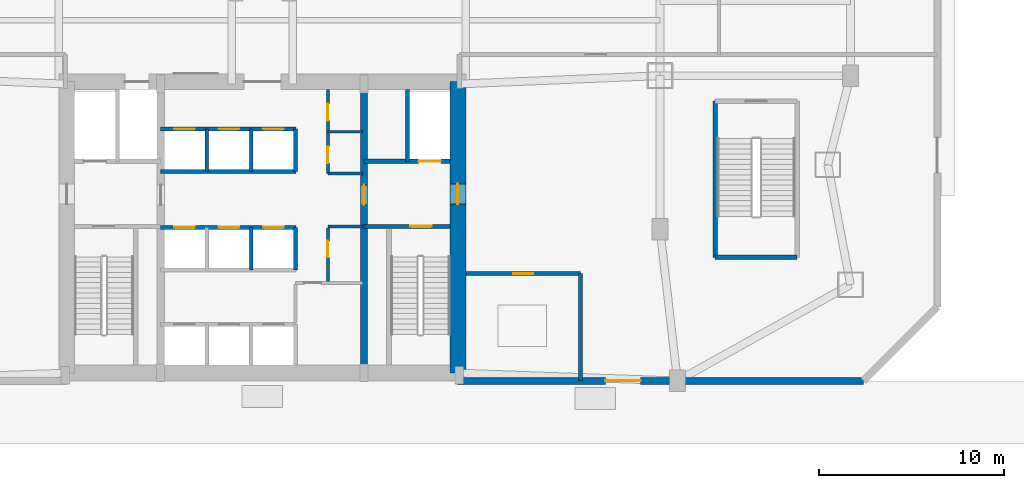
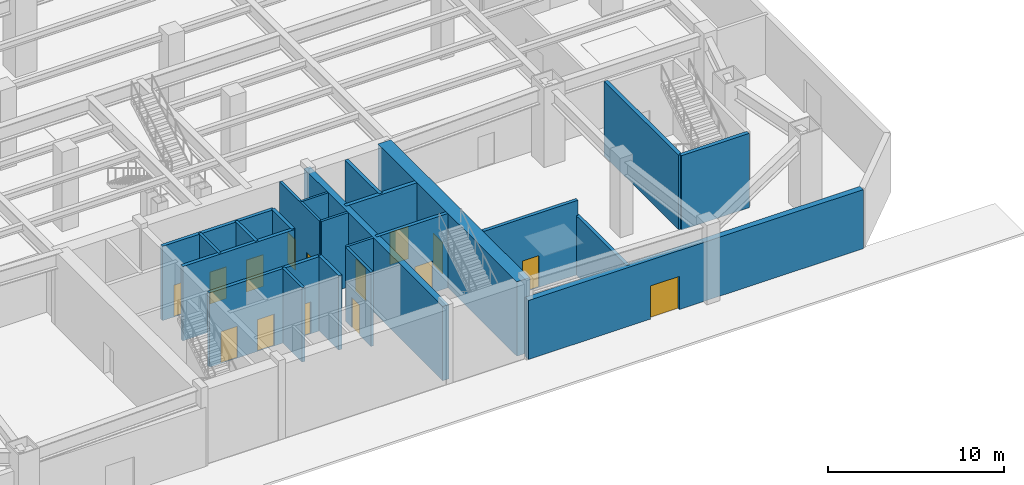
# One storey, part 6 of 11: 23 walls, 15 doors, 15 openings.
"""IFC4 building model written with IfcOpenShell, lengths in metres."""

from ifc_helpers import new_model, si_unit, direction, frame, frame_2d, origin, place, context, subcontext, project, spatial, rectangle, extrude, source, transform, mapped, material, layer, layer_set, type_object, type_shapes, element, fill, save


model = new_model("IFC4")

# Units and contexts
model_context = context("Model", 3, precision=1e-05, world=origin(), true_north=direction((0.0, 1.0)))
body_context = subcontext(model_context, "Body", "Model", "MODEL_VIEW")
ifc_project = project(units=[si_unit("LENGTHUNIT", "METRE"), si_unit("AREAUNIT", "SQUARE_METRE"), si_unit("VOLUMEUNIT", "CUBIC_METRE"), si_unit("PLANEANGLEUNIT", "RADIAN"), si_unit("MASSUNIT", "GRAM", prefix="KILO")], contexts=[model_context])

# Site, building, storey
site_placement = place(None, origin())
site = spatial("IfcSite", under=ifc_project, at=site_placement, CompositionType="ELEMENT")
building_placement = place(site_placement, origin())
building = spatial("IfcBuilding", under=site, at=building_placement, Name="Varnakhor Terracotta Tower", CompositionType="ELEMENT")
storey_placement = place(building_placement, origin())
storey = spatial("IfcBuildingStorey", under=building, at=storey_placement, Name="L00", CompositionType="ELEMENT", Elevation=0.0)

# Wall, opening, door
ifc_material_1 = material(Name="Concrete C60/75", Category="concrete")
ifc_layer_1 = layer(ifc_material_1, 0.85009765625, Name="Concrete C60/75")
ifc_layer_set_1 = layer_set([ifc_layer_1], Name="Concrete C60/75")
wall_type_1 = type_object("IfcWallType", Name="WAL-CORE-850", PredefinedType="SHEAR", material=ifc_layer_set_1)
wall_1_placement = place(storey_placement, frame((10.574951171875, 0.425048828125, 0.0), z_axis=(0.0, 0.0, 1.0), x_axis=(0.0, 1.0, 0.0)))
wall_1 = element("IfcWall", 1, at=wall_1_placement, inside=storey, type_object=wall_type_1, Name="L00 East Core Shear Wall", PredefinedType="SHEAR", context=body_context, shape_type="SweptSolid", body=[
    extrude(rectangle(XDim=15.75, YDim=0.85009765625, at=frame_2d((7.875, 0.0))), origin(), (0.0, 0.0, 1.0), 5.14990234375),
])
opening_1_placement = place(wall_1_placement, frame((9.125, 0.0, 0.0)))
opening_1 = element("IfcOpeningElement", 2, at=opening_1_placement, cuts=wall_1, Name="Opening DR-25", PredefinedType="OPENING", context=body_context, shape_type="SweptSolid", body=[
    extrude(rectangle(XDim=1.10009765625, YDim=2.199951171875, at=frame_2d((0.550048828125, 1.10009765625))), frame((0.0, 0.43505859375, 0.0), z_axis=(0.0, -1.0, 0.0), x_axis=(1.0, 0.0, 0.0)), (0.0, 0.0, 1.0), 0.8701171875),
])
ifc_material_2 = material(Name="Firefighting Lobby Self-Closing Fire Door", Category="steel")
door_type_1 = type_object("IfcDoorType", Name="DR-FFL-1100X2200", OperationType="NOTDEFINED", PredefinedType="DOOR", material=ifc_material_2)
shared_shape_1 = source(origin(), body_context, "Body", "SweptSolid", [
    extrude(rectangle(XDim=1.10009765625, YDim=2.199951171875, at=frame_2d((0.550048828125, 1.10009765625))), frame((0.0, 0.02490234375, 0.0), z_axis=(0.0, -1.0, 0.0), x_axis=(1.0, 0.0, 0.0)), (0.0, 0.0, 1.0), 0.050048828125),
])
type_shapes(door_type_1, [shared_shape_1])
door_1_placement = place(opening_1_placement, origin())
door_1 = element("IfcDoor", 3, at=door_1_placement, inside=storey, type_object=door_type_1, Name="L00 East Core Stair Protected Discharge Door", OperationType="SINGLE_SWING_RIGHT", OverallHeight=2.199951171875, OverallWidth=1.10009765625, PredefinedType="DOOR", context=body_context, shape_type="MappedRepresentation", body=[
    mapped(shared_shape_1, transform((0.0, 0.0, 0.0), scale=1.0)),
])
fill(opening_1, door_1)

ifc_material_3 = material(Name="Concrete C50/60", Category="concrete")
ifc_layer_2 = layer(ifc_material_3, 0.39990234375, Name="Concrete C50/60")
ifc_layer_set_2 = layer_set([ifc_layer_2], Name="Concrete C50/60")
wall_type_2 = type_object("IfcWallType", Name="WAL-CORE-WEB-400", PredefinedType="SHEAR", material=ifc_layer_set_2)
wall_2_placement = place(storey_placement, frame((5.5, 0.425048828125, 0.0), z_axis=(0.0, 0.0, 1.0), x_axis=(0.0, 1.0, 0.0)))
wall_2 = element("IfcWall", 4, at=wall_2_placement, inside=storey, type_object=wall_type_2, Name="L00 East Core Web Shear Wall", PredefinedType="SHEAR", context=body_context, shape_type="SweptSolid", body=[
    extrude(rectangle(XDim=15.75, YDim=0.39990234375, at=frame_2d((7.875, 0.0))), origin(), (0.0, 0.0, 1.0), 5.14990234375),
])
opening_2_placement = place(wall_2_placement, frame((9.074951171875, 0.0, 0.0)))
opening_2 = element("IfcOpeningElement", 5, at=opening_2_placement, cuts=wall_2, Name="Opening DR-25", PredefinedType="OPENING", context=body_context, shape_type="SweptSolid", body=[
    extrude(rectangle(XDim=1.10009765625, YDim=2.199951171875, at=frame_2d((0.550048828125, 1.10009765625))), frame((0.0, 0.2099609375, 0.0), z_axis=(0.0, -1.0, 0.0), x_axis=(1.0, 0.0, 0.0)), (0.0, 0.0, 1.0), 0.419921875),
])
door_2_placement = place(opening_2_placement, origin())
door_2 = element("IfcDoor", 6, at=door_2_placement, inside=storey, type_object=door_type_1, Name="L00 East Firefighting Lobby Door", OperationType="SINGLE_SWING_RIGHT", OverallHeight=2.199951171875, OverallWidth=1.10009765625, PredefinedType="DOOR", context=body_context, shape_type="MappedRepresentation", body=[
    mapped(shared_shape_1, transform((0.0, 0.0, 0.0), scale=1.0)),
])
fill(opening_2, door_2)

ifc_material_4 = material(Name="Honed Riyadh Limestone Assembly", Category="masonry")
ifc_layer_3 = layer(ifc_material_4, 0.3798828125, Name="Honed Riyadh Limestone Assembly")
ifc_layer_set_3 = layer_set([ifc_layer_3], Name="Honed Riyadh Limestone Assembly")
wall_type_3 = type_object("IfcWallType", Name="WAL-EXT-LIMESTONE-380", PredefinedType="SOLIDWALL", material=ifc_layer_set_3)
wall_3_placement = place(storey_placement, frame((32.5, 0.0, 0.0), z_axis=(0.0, 0.0, 1.0), x_axis=(-1.0, 0.0, 0.0)))
wall_3 = element("IfcWall", 7, at=wall_3_placement, inside=storey, type_object=wall_type_3, Name="L00 Limestone Podium Wall SE", PredefinedType="SOLIDWALL", context=body_context, shape_type="SweptSolid", body=[
    extrude(rectangle(XDim=21.949951171875, YDim=0.3798828125, at=frame_2d((10.97509765625, 0.0))), origin(), (0.0, 0.0, 1.0), 4.090087890625),
])
opening_3_placement = place(wall_3_placement, frame((12.050048828125, 0.0, 0.0)))
opening_3 = element("IfcOpeningElement", 8, at=opening_3_placement, cuts=wall_3, Name="Opening DR-56", PredefinedType="OPENING", context=body_context, shape_type="SweptSolid", body=[
    extrude(rectangle(XDim=1.89990234375, YDim=2.300048828125, at=frame_2d((0.949951171875, 1.14990234375))), frame((0.0, 0.199951171875, 0.0), z_axis=(0.0, -1.0, 0.0), x_axis=(1.0, 0.0, 0.0)), (0.0, 0.0, 1.0), 0.39990234375),
])
ifc_material_5 = material(Name="Insulated Steel Double Exit Door", Category="steel")
door_type_2 = type_object("IfcDoorType", Name="DR-EXT-EXIT-1900X2300", OperationType="NOTDEFINED", PredefinedType="DOOR", material=ifc_material_5)
shared_shape_2 = source(origin(), body_context, "Body", "SweptSolid", [
    extrude(rectangle(XDim=1.89990234375, YDim=2.300048828125, at=frame_2d((0.949951171875, 1.14990234375))), frame((0.0, 0.02490234375, 0.0), z_axis=(0.0, -1.0, 0.0), x_axis=(1.0, 0.0, 0.0)), (0.0, 0.0, 1.0), 0.050048828125),
])
type_shapes(door_type_2, [shared_shape_2])
door_3_placement = place(opening_3_placement, origin())
door_3 = element("IfcDoor", 9, at=door_3_placement, inside=storey, type_object=door_type_2, Name="L00 Core Stair Final Exit Door SE", OperationType="DOUBLE_DOOR_SINGLE_SWING", OverallHeight=2.300048828125, OverallWidth=1.89990234375, PredefinedType="DOOR", context=body_context, shape_type="MappedRepresentation", body=[
    mapped(shared_shape_2, transform((0.0, 0.0, 0.0), scale=1.0)),
])
fill(opening_3, door_3)

ifc_material_6 = material(Name="Concrete C40/50", Category="concrete")
ifc_layer_4 = layer(ifc_material_6, 0.219970703125, Name="Concrete C40/50")
ifc_layer_set_4 = layer_set([ifc_layer_4], Name="Concrete C40/50")
wall_type_4 = type_object("IfcWallType", Name="WAL-FFLOBBY-220", PredefinedType="SOLIDWALL", material=ifc_layer_set_4)
wall_4_placement = place(storey_placement, frame((5.5, 8.35009765625, 0.0), z_axis=(0.0, 0.0, 1.0), x_axis=(1.0, 0.0, 0.0)))
wall_4 = element("IfcWall", 10, at=wall_4_placement, inside=storey, type_object=wall_type_4, Name="L00 East Firefighting Lobby Stair Wall", PredefinedType="SOLIDWALL", context=body_context, shape_type="SweptSolid", body=[
    extrude(rectangle(XDim=4.64990234375, YDim=0.219970703125, at=frame_2d((2.324951171875, 0.0))), origin(), (0.0, 0.0, 1.0), 5.14990234375),
])
opening_4_placement = place(wall_4_placement, frame((2.5, 0.0, 0.0)))
opening_4 = element("IfcOpeningElement", 11, at=opening_4_placement, cuts=wall_4, Name="Opening DR-34", PredefinedType="OPENING", context=body_context, shape_type="SweptSolid", body=[
    extrude(rectangle(XDim=1.14990234375, YDim=2.199951171875, at=frame_2d((0.574951171875, 1.10009765625))), frame((0.0, 0.1201171875, 0.0), z_axis=(0.0, -1.0, 0.0), x_axis=(1.0, 0.0, 0.0)), (0.0, 0.0, 1.0), 0.239990234375),
])
ifc_material_7 = material(Name="Self-Closing Smoke-Sealed Steel Fire Door", Category="steel")
door_type_3 = type_object("IfcDoorType", Name="DR-STAIR-1150X2200", OperationType="NOTDEFINED", PredefinedType="DOOR", material=ifc_material_7)
shared_shape_3 = source(origin(), body_context, "Body", "SweptSolid", [
    extrude(rectangle(XDim=1.14990234375, YDim=2.199951171875, at=frame_2d((0.574951171875, 1.10009765625))), frame((0.0, 0.02490234375, 0.0), z_axis=(0.0, -1.0, 0.0), x_axis=(1.0, 0.0, 0.0)), (0.0, 0.0, 1.0), 0.050048828125),
])
type_shapes(door_type_3, [shared_shape_3])
door_4_placement = place(opening_4_placement, origin())
door_4 = element("IfcDoor", 12, at=door_4_placement, inside=storey, type_object=door_type_3, Name="L00 Exit Stair ST-2 Fire Door", OperationType="SINGLE_SWING_LEFT", OverallHeight=2.199951171875, OverallWidth=1.14990234375, PredefinedType="DOOR", context=body_context, shape_type="MappedRepresentation", body=[
    mapped(shared_shape_3, transform((0.0, 0.0, 0.0), scale=1.0)),
])
fill(opening_4, door_4)

wall_5_placement = place(storey_placement, frame((11.02001953125, 5.800048828125, 0.0), z_axis=(0.0, 0.0, 1.0), x_axis=(1.0, 0.0, 0.0)))
wall_5 = element("IfcWall", 13, at=wall_5_placement, inside=storey, type_object=wall_type_4, Name="L00 Fire Command Centre North Wall", PredefinedType="SOLIDWALL", context=body_context, shape_type="SweptSolid", body=[
    extrude(rectangle(XDim=6.179931640625, YDim=0.219970703125, at=frame_2d((3.08984375, 0.0))), origin(), (0.0, 0.0, 1.0), 5.14208984375),
])
opening_5_placement = place(wall_5_placement, frame((2.5400390625, 0.0, 0.0)))
opening_5 = element("IfcOpeningElement", 14, at=opening_5_placement, cuts=wall_5, Name="Opening DR-25", PredefinedType="OPENING", context=body_context, shape_type="SweptSolid", body=[
    extrude(rectangle(XDim=1.10009765625, YDim=2.199951171875, at=frame_2d((0.550048828125, 1.10009765625))), frame((0.0, 0.1201171875, 0.0), z_axis=(0.0, -1.0, 0.0), x_axis=(1.0, 0.0, 0.0)), (0.0, 0.0, 1.0), 0.239990234375),
])
door_5_placement = place(opening_5_placement, origin())
door_5 = element("IfcDoor", 15, at=door_5_placement, inside=storey, type_object=door_type_1, Name="Fire Command Centre Door", OperationType="SINGLE_SWING_LEFT", OverallHeight=2.199951171875, OverallWidth=1.10009765625, PredefinedType="DOOR", context=body_context, shape_type="MappedRepresentation", body=[
    mapped(shared_shape_1, transform((0.0, 0.0, 0.0), scale=1.0)),
])
fill(opening_5, door_5)

# Walls
wall_6_placement = place(storey_placement, frame((17.199951171875, 0.010009765625, 0.0), z_axis=(0.0, 0.0, 1.0), x_axis=(0.0, 1.0, 0.0)))
element("IfcWall", 16, at=wall_6_placement, inside=storey, type_object=wall_type_4, Name="L00 Fire Command Centre East Wall", PredefinedType="SOLIDWALL", context=body_context, shape_type="SweptSolid", body=[
    extrude(rectangle(XDim=5.7900390625, YDim=0.219970703125, at=frame_2d((2.89501953125, 0.0))), origin(), (0.0, 0.0, 1.0), 4.10205078125),
])
ifc_layer_5 = layer(ifc_material_6, 0.179931640625, Name="Concrete C40/50")
ifc_layer_set_5 = layer_set([ifc_layer_5], Name="Concrete C40/50")
wall_type_5 = type_object("IfcWallType", Name="WAL-SHAFT-180", PredefinedType="SOLIDWALL", material=ifc_layer_set_5)
for number, where, z_axis, x_axis, name in (
    (17, (-0.60009765625, 6.0, 0.0), (0.0, 0.0, 1.0), (0.0, 1.0, 0.0), "L00 PL-2B Divider"),
    (18, (-3.0, 11.320068359375, 0.0), (0.0, 0.0, 1.0), (0.0, 1.0, 0.0), "L00 PL-3A Divider"),
    (19, (-0.60009765625, 11.320068359375, 0.0), (0.0, 0.0, 1.0), (0.0, 1.0, 0.0), "L00 PL-3B Divider"),
):
    element("IfcWall", number, at=place(storey_placement, frame(where, z_axis=z_axis, x_axis=x_axis)), inside=storey, type_object=wall_type_5, Name=name, PredefinedType="SOLIDWALL", context=body_context, shape_type="SweptSolid", body=[
        extrude(rectangle(XDim=2.300048828125, YDim=0.179931640625, at=frame_2d((1.14990234375, 0.0))), origin(), (0.0, 0.0, 1.0), 5.14990234375),
    ])
ifc_layer_6 = layer(ifc_material_6, 0.219970703125, Name="Concrete C40/50")
ifc_layer_set_6 = layer_set([ifc_layer_6], Name="Concrete C40/50")
wall_type_6 = type_object("IfcWallType", Name="WAL-SHAFT-220", PredefinedType="SOLIDWALL", material=ifc_layer_set_6)
wall_7_placement = place(storey_placement, frame((7.840087890625, 11.8701171875, 0.0), z_axis=(0.0, 0.0, 1.0), x_axis=(0.0, 1.0, 0.0)))
element("IfcWall", 20, at=wall_7_placement, inside=storey, type_object=wall_type_6, Name="L00 Lift FFL-2 and Riser Divider Wall", PredefinedType="SOLIDWALL", context=body_context, shape_type="SweptSolid", body=[
    extrude(rectangle(XDim=3.8798828125, YDim=0.219970703125, at=frame_2d((1.93994140625, 0.0))), origin(), (0.0, 0.0, 1.0), 5.14990234375),
])

# Wall, openings, doors
wall_8_placement = place(storey_placement, frame((-5.5, 8.300048828125, 0.0), z_axis=(0.0, 0.0, 1.0), x_axis=(1.0, 0.0, 0.0)))
wall_8 = element("IfcWall", 21, at=wall_8_placement, inside=storey, type_object=wall_type_6, Name="L00 Bank 2 North Shaft Wall", PredefinedType="SOLIDWALL", context=body_context, shape_type="SweptSolid", body=[
    extrude(rectangle(XDim=7.320068359375, YDim=0.219970703125, at=frame_2d((3.66015625, 0.0))), origin(), (0.0, 0.0, 1.0), 5.14990234375),
])
opening_6_placement = place(wall_8_placement, frame((0.75, 0.0, 0.0)))
opening_6 = element("IfcOpeningElement", 22, at=opening_6_placement, cuts=wall_8, Name="Opening LD-01", PredefinedType="OPENING", context=body_context, shape_type="SweptSolid", body=[
    extrude(rectangle(XDim=1.10009765625, YDim=2.199951171875, at=frame_2d((0.550048828125, 1.10009765625))), frame((0.0, 0.1201171875, 0.0), z_axis=(0.0, -1.0, 0.0), x_axis=(1.0, 0.0, 0.0)), (0.0, 0.0, 1.0), 0.239990234375),
])
opening_7_placement = place(wall_8_placement, frame((3.14990234375, 0.0, 0.0)))
opening_7 = element("IfcOpeningElement", 23, at=opening_7_placement, cuts=wall_8, Name="Opening LD-01", PredefinedType="OPENING", context=body_context, shape_type="SweptSolid", body=[
    extrude(rectangle(XDim=1.10009765625, YDim=2.199951171875, at=frame_2d((0.550048828125, 1.10009765625))), frame((0.0, 0.1201171875, 0.0), z_axis=(0.0, -1.0, 0.0), x_axis=(1.0, 0.0, 0.0)), (0.0, 0.0, 1.0), 0.239990234375),
])
opening_8_placement = place(wall_8_placement, frame((5.550048828125, 0.0, 0.0)))
opening_8 = element("IfcOpeningElement", 24, at=opening_8_placement, cuts=wall_8, Name="Opening LD-01", PredefinedType="OPENING", context=body_context, shape_type="SweptSolid", body=[
    extrude(rectangle(XDim=1.10009765625, YDim=2.199951171875, at=frame_2d((0.550048828125, 1.10009765625))), frame((0.0, 0.1201171875, 0.0), z_axis=(0.0, -1.0, 0.0), x_axis=(1.0, 0.0, 0.0)), (0.0, 0.0, 1.0), 0.239990234375),
])
ifc_material_8 = material(Name="Brushed Stainless Steel Sliding Lift Landing Door", Category="steel")
door_type_4 = type_object("IfcDoorType", Name="LD-PASS-1100X2200", OperationType="NOTDEFINED", PredefinedType="DOOR", material=ifc_material_8)
shared_shape_4 = source(origin(), body_context, "Body", "SweptSolid", [
    extrude(rectangle(XDim=1.10009765625, YDim=2.199951171875, at=frame_2d((0.550048828125, 1.10009765625))), frame((0.0, 0.02490234375, 0.0), z_axis=(0.0, -1.0, 0.0), x_axis=(1.0, 0.0, 0.0)), (0.0, 0.0, 1.0), 0.050048828125),
])
type_shapes(door_type_4, [shared_shape_4])
door_6_placement = place(opening_6_placement, origin())
door_6 = element("IfcDoor", 25, at=door_6_placement, inside=storey, type_object=door_type_4, Name="L00 Passenger Lift PL-2A Landing Door", OperationType="SLIDING_TO_LEFT", OverallHeight=2.199951171875, OverallWidth=1.10009765625, PredefinedType="DOOR", context=body_context, shape_type="MappedRepresentation", body=[
    mapped(shared_shape_4, transform((0.0, 0.0, 0.0), scale=1.0)),
])
fill(opening_6, door_6)
door_7_placement = place(opening_7_placement, origin())
door_7 = element("IfcDoor", 26, at=door_7_placement, inside=storey, type_object=door_type_4, Name="L00 Passenger Lift PL-2B Landing Door", OperationType="SLIDING_TO_LEFT", OverallHeight=2.199951171875, OverallWidth=1.10009765625, PredefinedType="DOOR", context=body_context, shape_type="MappedRepresentation", body=[
    mapped(shared_shape_4, transform((0.0, 0.0, 0.0), scale=1.0)),
])
fill(opening_7, door_7)
door_8_placement = place(opening_8_placement, origin())
door_8 = element("IfcDoor", 27, at=door_8_placement, inside=storey, type_object=door_type_4, Name="L00 Passenger Lift PL-2C Landing Door", OperationType="SLIDING_TO_LEFT", OverallHeight=2.199951171875, OverallWidth=1.10009765625, PredefinedType="DOOR", context=body_context, shape_type="MappedRepresentation", body=[
    mapped(shared_shape_4, transform((0.0, 0.0, 0.0), scale=1.0)),
])
fill(opening_8, door_8)

# Walls
wall_9_placement = place(storey_placement, frame((1.800048828125, 6.0, 0.0), z_axis=(0.0, 0.0, 1.0), x_axis=(0.0, 1.0, 0.0)))
element("IfcWall", 28, at=wall_9_placement, inside=storey, type_object=wall_type_6, Name="L00 Bank 2 East Shaft Wall", PredefinedType="SOLIDWALL", context=body_context, shape_type="SweptSolid", body=[
    extrude(rectangle(XDim=2.300048828125, YDim=0.219970703125, at=frame_2d((1.14990234375, 0.0))), origin(), (0.0, 0.0, 1.0), 5.14990234375),
])
wall_10_placement = place(storey_placement, frame((-5.5, 11.320068359375, 0.0), z_axis=(0.0, 0.0, 1.0), x_axis=(1.0, 0.0, 0.0)))
element("IfcWall", 29, at=wall_10_placement, inside=storey, type_object=wall_type_6, Name="L00 Bank 3 South Shaft Wall", PredefinedType="SOLIDWALL", context=body_context, shape_type="SweptSolid", body=[
    extrude(rectangle(XDim=7.320068359375, YDim=0.219970703125, at=frame_2d((3.66015625, 0.0))), origin(), (0.0, 0.0, 1.0), 5.14990234375),
])

# Wall, openings, doors
wall_11_placement = place(storey_placement, frame((-5.5, 13.6201171875, 0.0), z_axis=(0.0, 0.0, 1.0), x_axis=(1.0, 0.0, 0.0)))
wall_11 = element("IfcWall", 30, at=wall_11_placement, inside=storey, type_object=wall_type_6, Name="L00 Bank 3 North Shaft Wall", PredefinedType="SOLIDWALL", context=body_context, shape_type="SweptSolid", body=[
    extrude(rectangle(XDim=7.320068359375, YDim=0.219970703125, at=frame_2d((3.66015625, 0.0))), origin(), (0.0, 0.0, 1.0), 5.14990234375),
])
opening_9_placement = place(wall_11_placement, frame((0.75, 0.0, 0.0)))
opening_9 = element("IfcOpeningElement", 31, at=opening_9_placement, cuts=wall_11, Name="Opening LD-01", PredefinedType="OPENING", context=body_context, shape_type="SweptSolid", body=[
    extrude(rectangle(XDim=1.10009765625, YDim=2.199951171875, at=frame_2d((0.550048828125, 1.10009765625))), frame((0.0, 0.1201171875, 0.0), z_axis=(0.0, -1.0, 0.0), x_axis=(1.0, 0.0, 0.0)), (0.0, 0.0, 1.0), 0.239990234375),
])
opening_10_placement = place(wall_11_placement, frame((3.14990234375, 0.0, 0.0)))
opening_10 = element("IfcOpeningElement", 32, at=opening_10_placement, cuts=wall_11, Name="Opening LD-01", PredefinedType="OPENING", context=body_context, shape_type="SweptSolid", body=[
    extrude(rectangle(XDim=1.10009765625, YDim=2.199951171875, at=frame_2d((0.550048828125, 1.10009765625))), frame((0.0, 0.1201171875, 0.0), z_axis=(0.0, -1.0, 0.0), x_axis=(1.0, 0.0, 0.0)), (0.0, 0.0, 1.0), 0.239990234375),
])
opening_11_placement = place(wall_11_placement, frame((5.550048828125, 0.0, 0.0)))
opening_11 = element("IfcOpeningElement", 33, at=opening_11_placement, cuts=wall_11, Name="Opening LD-01", PredefinedType="OPENING", context=body_context, shape_type="SweptSolid", body=[
    extrude(rectangle(XDim=1.10009765625, YDim=2.199951171875, at=frame_2d((0.550048828125, 1.10009765625))), frame((0.0, 0.1201171875, 0.0), z_axis=(0.0, -1.0, 0.0), x_axis=(1.0, 0.0, 0.0)), (0.0, 0.0, 1.0), 0.239990234375),
])
door_9_placement = place(opening_9_placement, origin())
door_9 = element("IfcDoor", 34, at=door_9_placement, inside=storey, type_object=door_type_4, Name="L00 Passenger Lift PL-3A Landing Door", OperationType="SLIDING_TO_RIGHT", OverallHeight=2.199951171875, OverallWidth=1.10009765625, PredefinedType="DOOR", context=body_context, shape_type="MappedRepresentation", body=[
    mapped(shared_shape_4, transform((0.0, 0.0, 0.0), scale=1.0)),
])
fill(opening_9, door_9)
door_10_placement = place(opening_10_placement, origin())
door_10 = element("IfcDoor", 35, at=door_10_placement, inside=storey, type_object=door_type_4, Name="L00 Passenger Lift PL-3B Landing Door", OperationType="SLIDING_TO_RIGHT", OverallHeight=2.199951171875, OverallWidth=1.10009765625, PredefinedType="DOOR", context=body_context, shape_type="MappedRepresentation", body=[
    mapped(shared_shape_4, transform((0.0, 0.0, 0.0), scale=1.0)),
])
fill(opening_10, door_10)
door_11_placement = place(opening_11_placement, origin())
door_11 = element("IfcDoor", 36, at=door_11_placement, inside=storey, type_object=door_type_4, Name="L00 Passenger Lift PL-3C Landing Door", OperationType="SLIDING_TO_RIGHT", OverallHeight=2.199951171875, OverallWidth=1.10009765625, PredefinedType="DOOR", context=body_context, shape_type="MappedRepresentation", body=[
    mapped(shared_shape_4, transform((0.0, 0.0, 0.0), scale=1.0)),
])
fill(opening_11, door_11)

# Wall
wall_12_placement = place(storey_placement, frame((1.800048828125, 11.320068359375, 0.0), z_axis=(0.0, 0.0, 1.0), x_axis=(0.0, 1.0, 0.0)))
element("IfcWall", 37, at=wall_12_placement, inside=storey, type_object=wall_type_6, Name="L00 Bank 3 East Shaft Wall", PredefinedType="SOLIDWALL", context=body_context, shape_type="SweptSolid", body=[
    extrude(rectangle(XDim=2.300048828125, YDim=0.219970703125, at=frame_2d((1.14990234375, 0.0))), origin(), (0.0, 0.0, 1.0), 5.14990234375),
])

# Wall, opening, door
ifc_layer_7 = layer(ifc_material_6, 0.25, Name="Concrete C40/50")
ifc_layer_set_7 = layer_set([ifc_layer_7], Name="Concrete C40/50")
wall_type_7 = type_object("IfcWallType", Name="WAL-SHAFT-250", PredefinedType="SOLIDWALL", material=ifc_layer_set_7)
wall_13_placement = place(storey_placement, frame((10.14990234375, 11.8701171875, 0.0), z_axis=(0.0, 0.0, 1.0), x_axis=(-1.0, 0.0, 0.0)))
wall_13 = element("IfcWall", 38, at=wall_13_placement, inside=storey, type_object=wall_type_7, Name="L00 Lift FFL-2 Shaft Front Wall", PredefinedType="SOLIDWALL", context=body_context, shape_type="SweptSolid", body=[
    extrude(rectangle(XDim=4.64990234375, YDim=0.25, at=frame_2d((2.324951171875, 0.0))), origin(), (0.0, 0.0, 1.0), 5.14990234375),
])
opening_12_placement = place(wall_13_placement, frame((0.5, 0.0, 0.0)))
opening_12 = element("IfcOpeningElement", 39, at=opening_12_placement, cuts=wall_13, Name="Opening LD-02", PredefinedType="OPENING", context=body_context, shape_type="SweptSolid", body=[
    extrude(rectangle(XDim=1.199951171875, YDim=2.25, at=frame_2d((0.60009765625, 1.125))), frame((0.0, 0.135009765625, 0.0), z_axis=(0.0, -1.0, 0.0), x_axis=(1.0, 0.0, 0.0)), (0.0, 0.0, 1.0), 0.27001953125),
])
ifc_material_9 = material(Name="Firefighting Stretcher Sliding Lift Landing Door", Category="steel")
door_type_5 = type_object("IfcDoorType", Name="LD-FFL-1200X2250", OperationType="NOTDEFINED", PredefinedType="DOOR", material=ifc_material_9)
shared_shape_5 = source(origin(), body_context, "Body", "SweptSolid", [
    extrude(rectangle(XDim=1.199951171875, YDim=2.25, at=frame_2d((0.60009765625, 1.125))), frame((0.0, 0.02490234375, 0.0), z_axis=(0.0, -1.0, 0.0), x_axis=(1.0, 0.0, 0.0)), (0.0, 0.0, 1.0), 0.050048828125),
])
type_shapes(door_type_5, [shared_shape_5])
door_12_placement = place(opening_12_placement, origin())
door_12 = element("IfcDoor", 40, at=door_12_placement, inside=storey, type_object=door_type_5, Name="L00 Firefighting Lift FFL-2 Landing Door", OperationType="SLIDING_TO_RIGHT", OverallHeight=2.25, OverallWidth=1.199951171875, PredefinedType="DOOR", context=body_context, shape_type="MappedRepresentation", body=[
    mapped(shared_shape_5, transform((0.0, 0.0, 0.0), scale=1.0)),
])
fill(opening_12, door_12)

# Walls
wall_14_placement = place(storey_placement, frame((24.47998046875, 6.679931640625, 0.0), z_axis=(0.0, 0.0, 1.0), x_axis=(0.0, 1.0, 0.0)))
element("IfcWall", 41, at=wall_14_placement, inside=storey, type_object=wall_type_7, Name="L00 ST-P2 Bearing Shaft Wall W", PredefinedType="SOLIDWALL", context=body_context, shape_type="SweptSolid", body=[
    extrude(rectangle(XDim=8.440185546875, YDim=0.25, at=frame_2d((4.22021484375, 0.0))), origin(), (0.0, 0.0, 1.0), 5.14990234375),
])
wall_15_placement = place(storey_placement, frame((28.919921875, 6.679931640625, 0.0), z_axis=(0.0, 0.0, 1.0), x_axis=(-1.0, 0.0, 0.0)))
element("IfcWall", 42, at=wall_15_placement, inside=storey, type_object=wall_type_7, Name="L00 ST-P2 Bearing Shaft Wall S", PredefinedType="SOLIDWALL", context=body_context, shape_type="SweptSolid", body=[
    extrude(rectangle(XDim=4.43994140625, YDim=0.25, at=frame_2d((2.219970703125, 0.0))), origin(), (0.0, 0.0, 1.0), 5.14990234375),
])
ifc_material_10 = material(Name="Acoustic Fire-Rated Partition", Category="gypsum")
ifc_layer_8 = layer(ifc_material_10, 0.139892578125, Name="Acoustic Fire-Rated Partition")
ifc_layer_set_8 = layer_set([ifc_layer_8], Name="Acoustic Fire-Rated Partition")
wall_type_8 = type_object("IfcWallType", Name="WAL-TENANCY-140", PredefinedType="PARTITIONING", material=ifc_layer_set_8)
wall_16_placement = place(storey_placement, frame((3.5400390625, 13.47998046875, 0.0), z_axis=(0.0, 0.0, 1.0), x_axis=(1.0, 0.0, 0.0)))
element("IfcWall", 43, at=wall_16_placement, inside=storey, type_object=wall_type_8, Name="L00 Male and Female Restroom Divider Wall", PredefinedType="PARTITIONING", context=body_context, shape_type="SweptSolid", body=[
    extrude(rectangle(XDim=1.8798828125, YDim=0.139892578125, at=frame_2d((0.93994140625, 0.0))), origin(), (0.0, 0.0, 1.0), 5.14208984375),
])

# Wall, opening, door
ifc_layer_9 = layer(ifc_material_10, 0.1650390625, Name="Acoustic Fire-Rated Partition")
ifc_layer_set_9 = layer_set([ifc_layer_9], Name="Acoustic Fire-Rated Partition")
wall_type_9 = type_object("IfcWallType", Name="WAL-TENANCY-165", PredefinedType="PARTITIONING", material=ifc_layer_set_9)
wall_17_placement = place(storey_placement, frame((3.5400390625, 5.382568359375, 0.0), z_axis=(0.0, 0.0, 1.0), x_axis=(0.0, 1.0, 0.0)))
wall_17 = element("IfcWall", 44, at=wall_17_placement, inside=storey, type_object=wall_type_9, Name="L00 Core Service Rated Wall", PredefinedType="PARTITIONING", context=body_context, shape_type="SweptSolid", body=[
    extrude(rectangle(XDim=2.875, YDim=0.1650390625, at=frame_2d((1.4375, 0.0))), origin(), (0.0, 0.0, 1.0), 5.14208984375),
])
opening_13_placement = place(wall_17_placement, frame((1.293701171875, 0.0, 0.0)))
opening_13 = element("IfcOpeningElement", 45, at=opening_13_placement, cuts=wall_17, Name="Opening DR-67", PredefinedType="OPENING", context=body_context, shape_type="SweptSolid", body=[
    extrude(rectangle(XDim=0.89990234375, YDim=2.10009765625, at=frame_2d((0.449951171875, 1.050048828125))), frame((0.0, 0.092529296875, 0.0), z_axis=(0.0, -1.0, 0.0), x_axis=(1.0, 0.0, 0.0)), (0.0, 0.0, 1.0), 0.18505859375),
])
ifc_material_11 = material(Name="Steel Service Riser Fire Door", Category="steel")
door_type_6 = type_object("IfcDoorType", Name="DR-RISER-900X2100", OperationType="NOTDEFINED", PredefinedType="DOOR", material=ifc_material_11)
shared_shape_6 = source(origin(), body_context, "Body", "SweptSolid", [
    extrude(rectangle(XDim=0.89990234375, YDim=2.10009765625, at=frame_2d((0.449951171875, 1.050048828125))), frame((0.0, 0.02490234375, 0.0), z_axis=(0.0, -1.0, 0.0), x_axis=(1.0, 0.0, 0.0)), (0.0, 0.0, 1.0), 0.050048828125),
])
type_shapes(door_type_6, [shared_shape_6])
door_13_placement = place(opening_13_placement, origin())
door_13 = element("IfcDoor", 46, at=door_13_placement, inside=storey, type_object=door_type_6, Name="L00 Core Accessible WC Door", OperationType="SINGLE_SWING_RIGHT", OverallHeight=2.10009765625, OverallWidth=0.89990234375, PredefinedType="DOOR", context=body_context, shape_type="MappedRepresentation", body=[
    mapped(shared_shape_6, transform((0.0, 0.0, 0.0), scale=1.0)),
])
fill(opening_13, door_13)

# Wall
wall_18_placement = place(storey_placement, frame((3.5400390625, 8.340087890625, 0.0), z_axis=(0.0, 0.0, 1.0), x_axis=(1.0, 0.0, 0.0)))
element("IfcWall", 47, at=wall_18_placement, inside=storey, type_object=wall_type_9, Name="L00 Accessible WC North Wall", PredefinedType="PARTITIONING", context=body_context, shape_type="SweptSolid", body=[
    extrude(rectangle(XDim=1.8798828125, YDim=0.1650390625, at=frame_2d((0.93994140625, 0.0))), origin(), (0.0, 0.0, 1.0), 5.14208984375),
])

# Wall, openings, doors
wall_19_placement = place(storey_placement, frame((3.5400390625, 11.219970703125, 0.0), z_axis=(0.0, 0.0, 1.0), x_axis=(0.0, 1.0, 0.0)))
wall_19 = element("IfcWall", 48, at=wall_19_placement, inside=storey, type_object=wall_type_9, Name="L00 Restroom Corridor Wall", PredefinedType="PARTITIONING", context=body_context, shape_type="SweptSolid", body=[
    extrude(rectangle(XDim=4.530029296875, YDim=0.1650390625, at=frame_2d((2.26513671875, 0.0))), origin(), (0.0, 0.0, 1.0), 5.14208984375),
])
opening_14_placement = place(wall_19_placement, frame((0.550048828125, 0.0, 0.0)))
opening_14 = element("IfcOpeningElement", 49, at=opening_14_placement, cuts=wall_19, Name="Opening DR-67", PredefinedType="OPENING", context=body_context, shape_type="SweptSolid", body=[
    extrude(rectangle(XDim=0.89990234375, YDim=2.10009765625, at=frame_2d((0.449951171875, 1.050048828125))), frame((0.0, 0.092529296875, 0.0), z_axis=(0.0, -1.0, 0.0), x_axis=(1.0, 0.0, 0.0)), (0.0, 0.0, 1.0), 0.18505859375),
])
opening_15_placement = place(wall_19_placement, frame((2.85009765625, 0.0, 0.0)))
opening_15 = element("IfcOpeningElement", 50, at=opening_15_placement, cuts=wall_19, Name="Opening DR-67", PredefinedType="OPENING", context=body_context, shape_type="SweptSolid", body=[
    extrude(rectangle(XDim=0.89990234375, YDim=2.10009765625, at=frame_2d((0.449951171875, 1.050048828125))), frame((0.0, 0.092529296875, 0.0), z_axis=(0.0, -1.0, 0.0), x_axis=(1.0, 0.0, 0.0)), (0.0, 0.0, 1.0), 0.18505859375),
])
door_14_placement = place(opening_14_placement, origin())
door_14 = element("IfcDoor", 51, at=door_14_placement, inside=storey, type_object=door_type_6, Name="L00 Male WC Door", OperationType="SINGLE_SWING_LEFT", OverallHeight=2.10009765625, OverallWidth=0.89990234375, PredefinedType="DOOR", context=body_context, shape_type="MappedRepresentation", body=[
    mapped(shared_shape_6, transform((0.0, 0.0, 0.0), scale=1.0)),
])
fill(opening_14, door_14)
door_15_placement = place(opening_15_placement, origin())
door_15 = element("IfcDoor", 52, at=door_15_placement, inside=storey, type_object=door_type_6, Name="L00 Female WC Door", OperationType="SINGLE_SWING_RIGHT", OverallHeight=2.10009765625, OverallWidth=0.89990234375, PredefinedType="DOOR", context=body_context, shape_type="MappedRepresentation", body=[
    mapped(shared_shape_6, transform((0.0, 0.0, 0.0), scale=1.0)),
])
fill(opening_15, door_15)

# Wall
wall_20_placement = place(storey_placement, frame((3.5400390625, 11.219970703125, 0.0), z_axis=(0.0, 0.0, 1.0), x_axis=(1.0, 0.0, 0.0)))
element("IfcWall", 53, at=wall_20_placement, inside=storey, type_object=wall_type_9, Name="L00 Restroom South Wall", PredefinedType="PARTITIONING", context=body_context, shape_type="SweptSolid", body=[
    extrude(rectangle(XDim=1.8798828125, YDim=0.1650390625, at=frame_2d((0.93994140625, 0.0))), origin(), (0.0, 0.0, 1.0), 5.14208984375),
])

save(model, "model.ifc")
